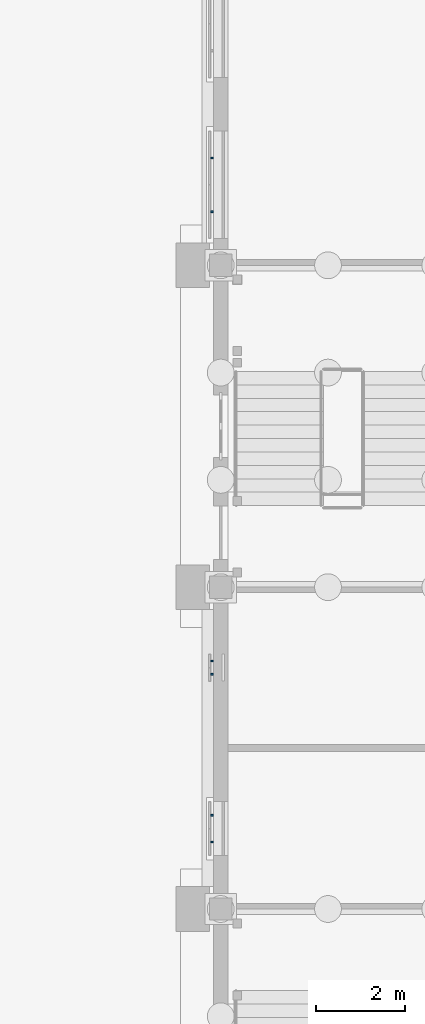
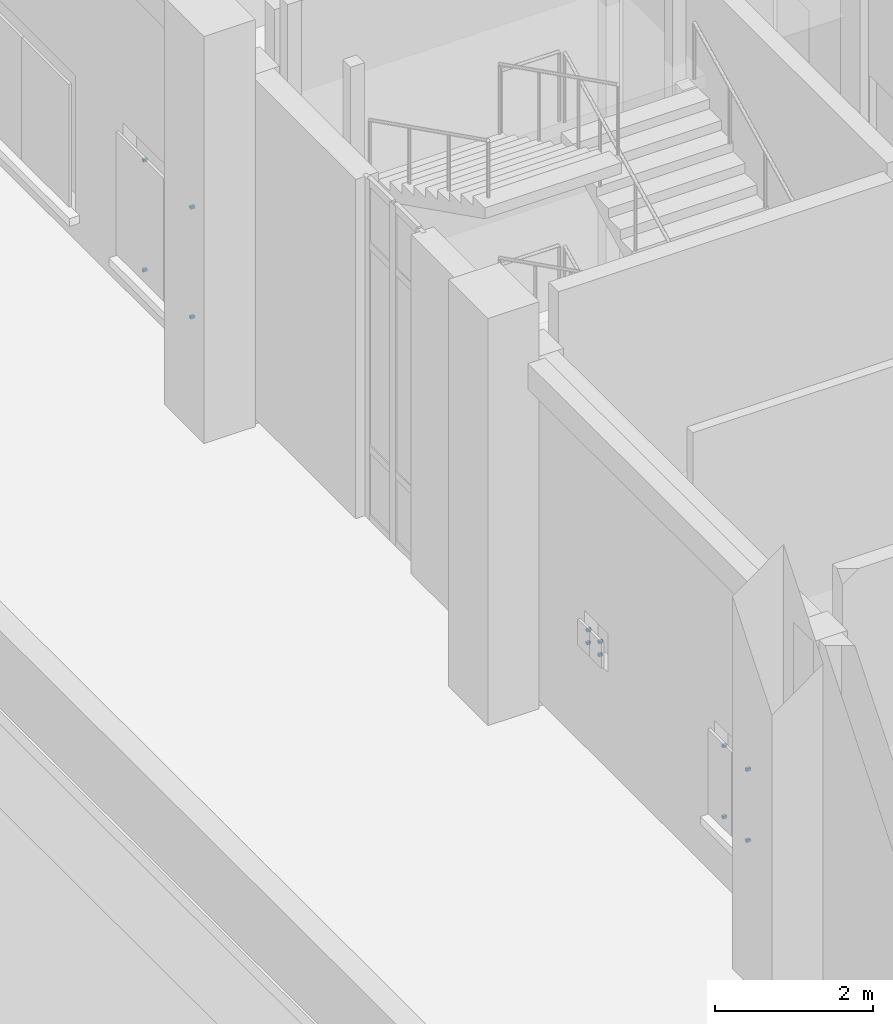
# One storey, part 51 of 84: 12 discrete accessories.
"""IFC4 building model written with IfcOpenShell, lengths in metres."""

from ifc_helpers import new_model, si_unit, direction, frame, origin, origin_2d, place, context, subcontext, project, spatial, rectangle, extrude, material, type_object, element, save


model = new_model("IFC4")

# Units and contexts
model_context = context("Model", 3, precision=1e-05, world=origin(), true_north=direction((0.0, 1.0)))
body_context = subcontext(model_context, "Body", "Model", "MODEL_VIEW")
ifc_project = project(units=[si_unit("LENGTHUNIT", "METRE"), si_unit("AREAUNIT", "SQUARE_METRE"), si_unit("VOLUMEUNIT", "CUBIC_METRE"), si_unit("PLANEANGLEUNIT", "RADIAN"), si_unit("MASSUNIT", "GRAM", prefix="KILO")], contexts=[model_context])

# Site, building, storey
site_placement = place(None, origin())
site = spatial("IfcSite", under=ifc_project, at=site_placement, CompositionType="ELEMENT")
building_placement = place(site_placement, origin())
building = spatial("IfcBuilding", under=site, at=building_placement, Name="Mazhai Court Health Centre", CompositionType="ELEMENT")
storey_placement = place(building_placement, origin())
storey = spatial("IfcBuildingStorey", under=building, at=storey_placement, Name="L00", CompositionType="ELEMENT", Elevation=0.0)

# Discrete accessories
ifc_material = material(Name="Steel IS 2062 E250", Category="steel")
discrete_accessory_type = type_object("IfcDiscreteAccessoryType", Name="BRACKET 40", PredefinedType="BRACKET", material=ifc_material)
for number, where, z_axis, x_axis, name in (
    (1, (6.0048828125, 14.89990234375, 1.080078125), (0.0, 0.0, 1.0), (0.0, 1.0, 0.0), "BR-V2-L00-A10a0"),
    (2, (6.0048828125, 14.89990234375, 2.179931640625), (0.0, 0.0, 1.0), (0.0, 1.0, 0.0), "BR-V2-L00-A10a1"),
    (3, (6.0048828125, 15.5, 1.080078125), (0.0, 0.0, 1.0), (0.0, 1.0, 0.0), "BR-V2-L00-A10b0"),
    (4, (6.0048828125, 15.5, 2.179931640625), (0.0, 0.0, 1.0), (0.0, 1.0, 0.0), "BR-V2-L00-A10b1"),
    (5, (6.0048828125, 18.64990234375, 1.679931640625), (0.0, 0.0, 1.0), (0.0, 1.0, 0.0), "BR-V2-L00-A11a0"),
    (6, (6.0048828125, 18.64990234375, 1.8798828125), (0.0, 0.0, 1.0), (0.0, 1.0, 0.0), "BR-V2-L00-A11a1"),
    (7, (6.0048828125, 18.949951171875, 1.679931640625), (0.0, 0.0, 1.0), (0.0, 1.0, 0.0), "BR-V2-L00-A11b0"),
    (8, (6.0048828125, 18.949951171875, 1.8798828125), (0.0, 0.0, 1.0), (0.0, 1.0, 0.0), "BR-V2-L00-A11b1"),
    (9, (6.0048828125, 29.0, 0.6298828125), (0.0, 0.0, 1.0), (0.0, 1.0, 0.0), "BR-V2-L00-A30a0"),
    (10, (6.0048828125, 29.0, 2.330078125), (0.0, 0.0, 1.0), (0.0, 1.0, 0.0), "BR-V2-L00-A30a1"),
    (11, (6.0048828125, 30.199951171875, 0.6298828125), (0.0, 0.0, 1.0), (0.0, 1.0, 0.0), "BR-V2-L00-A30b0"),
    (12, (6.0048828125, 30.199951171875, 2.330078125), (0.0, 0.0, 1.0), (0.0, 1.0, 0.0), "BR-V2-L00-A30b1"),
):
    element("IfcDiscreteAccessory", number, at=place(storey_placement, frame(where, z_axis=z_axis, x_axis=x_axis)), inside=storey, type_object=discrete_accessory_type, Name=name, PredefinedType="BRACKET", context=body_context, shape_type="SweptSolid", body=[
        extrude(rectangle(XDim=0.0400390625, YDim=0.06005859375, at=origin_2d()), origin(), (0.0, 0.0, 1.0), 0.0400390625),
    ])

save(model, "model.ifc")
